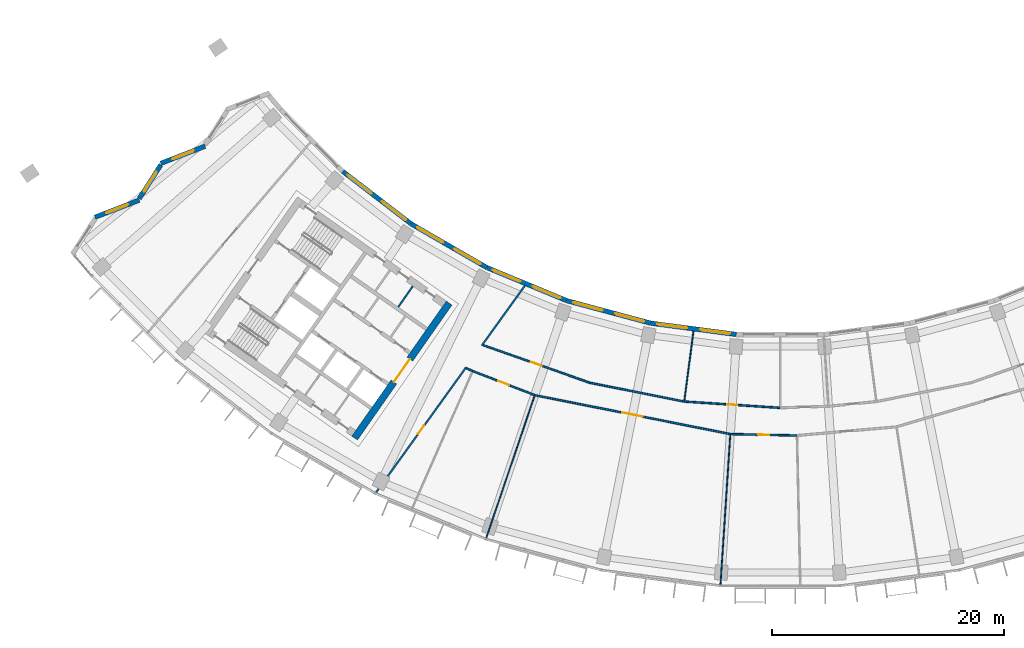
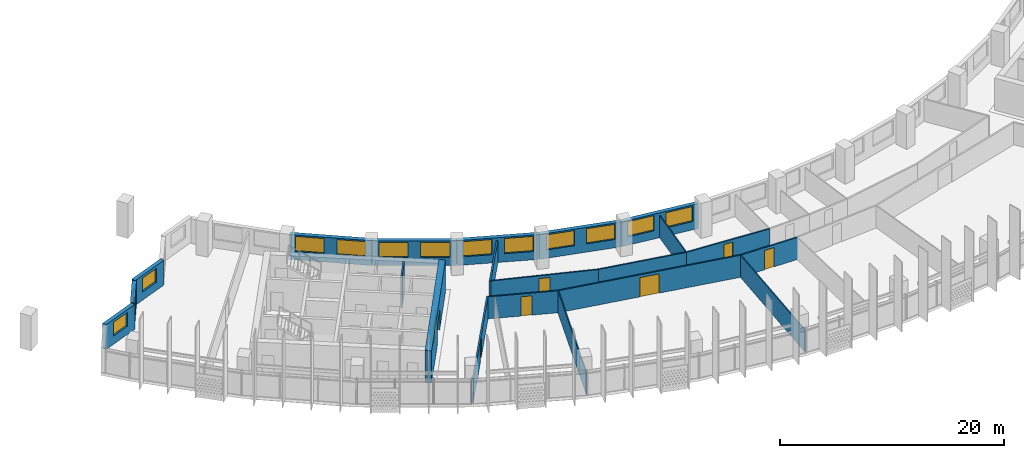
# One storey, part 4 of 27: 22 walls, 13 windows, 7 doors, 20 openings.
"""IFC4 building model written with IfcOpenShell, lengths in metres."""

from ifc_helpers import new_model, si_unit, direction, frame, frame_2d, origin, place, context, subcontext, project, spatial, rectangle, extrude, material, layer, layer_set, type_object, element, fill, save


model = new_model("IFC4")

# Units and contexts
model_context = context("Model", 3, precision=1e-05, world=origin(), true_north=direction((0.0, 1.0)))
body_context = subcontext(model_context, "Body", "Model", "MODEL_VIEW")
ifc_project = project(units=[si_unit("LENGTHUNIT", "METRE"), si_unit("AREAUNIT", "SQUARE_METRE"), si_unit("VOLUMEUNIT", "CUBIC_METRE"), si_unit("PLANEANGLEUNIT", "RADIAN"), si_unit("MASSUNIT", "GRAM", prefix="KILO")], contexts=[model_context])

# Site, building, storey
site_placement = place(None, origin())
site = spatial("IfcSite", under=ifc_project, at=site_placement, CompositionType="ELEMENT")
building_placement = place(site_placement, origin())
building = spatial("IfcBuilding", under=site, at=building_placement, Name="Qamariyya Broadcast Tower", CompositionType="ELEMENT")
storey_placement = place(building_placement, frame((0.0, 0.0, 172.10009765625)))
storey = spatial("IfcBuildingStorey", under=building, at=storey_placement, Name="L40", CompositionType="ELEMENT", Elevation=172.10009765625)

# Wall, opening, door
ifc_material_1 = material(Name="Concrete C60/75", Category="concrete")
ifc_layer_1 = layer(ifc_material_1, 0.60009765625)
ifc_layer_set_1 = layer_set([ifc_layer_1], Name="Core wall 600 mm Concrete C60/75")
wall_type_1 = type_object("IfcWallType", Name="Core wall 600 mm Concrete C60/75", PredefinedType="SHEAR", material=ifc_layer_set_1)
wall_1_placement = place(storey_placement, frame((-36.66748046875, -66.005126953125, 0.0), z_axis=(0.0, 0.0, 1.0), x_axis=(0.573568499524, 0.819157601658, 0.0)))
wall_1 = element("IfcWall", 1, at=wall_1_placement, inside=storey, type_object=wall_type_1, Name="k-W-L40-WA", PredefinedType="SHEAR", context=body_context, shape_type="SweptSolid", body=[
    extrude(rectangle(XDim=14.19970703125, YDim=0.60009765625, at=frame_2d((7.099853515625, 0.0))), origin(), (0.0, 0.0, 1.0), 3.5),
])
opening_1_placement = place(wall_1_placement, frame((5.89990234375, 0.0, 0.0)))
opening_1 = element("IfcOpeningElement", 2, at=opening_1_placement, cuts=wall_1, Name="Opening KD3-W1", PredefinedType="OPENING", context=body_context, shape_type="SweptSolid", body=[
    extrude(rectangle(XDim=2.39990234375, YDim=2.10009765625, at=frame_2d((1.199951171875, 1.050048828125))), frame((0.0, 0.31005859375, 0.0), z_axis=(0.0, -1.0, 0.0), x_axis=(1.0, 0.0, 0.0)), (0.0, 0.0, 1.0), 0.6201171875),
])
ifc_material_2 = material(Name="Steel fire-resisting door leaf", Category="steel")
door_type_1 = type_object("IfcDoorType", Name="Lift lobby door KD3", OperationType="DOUBLE_DOOR_SINGLE_SWING", PredefinedType="DOOR", material=ifc_material_2)
door_1_placement = place(opening_1_placement, origin())
door_1 = element("IfcDoor", 3, at=door_1_placement, inside=storey, type_object=door_type_1, Name="k-W-L40-WA-D1", OperationType="DOUBLE_DOOR_SINGLE_SWING", OverallHeight=2.10009765625, OverallWidth=2.39990234375, PredefinedType="DOOR", context=body_context, shape_type="SweptSolid", body=[
    extrude(rectangle(XDim=2.39990234375, YDim=2.10009765625, at=frame_2d((1.199951171875, 1.050048828125))), frame((0.0, 0.02490234375, 0.0), z_axis=(0.0, -1.0, 0.0), x_axis=(1.0, 0.0, 0.0)), (0.0, 0.0, 1.0), 0.050048828125),
])
fill(opening_1, door_1)

ifc_material_3 = material(Name="Gypsum board partition")
ifc_layer_2 = layer(ifc_material_3, 0.14990234375)
ifc_layer_set_2 = layer_set([ifc_layer_2], Name="Corridor partition 150 EI 60")
wall_type_2 = type_object("IfcWallType", Name="Corridor partition 150 EI 60", PredefinedType="PARTITIONING", material=ifc_layer_set_2)
wall_2_placement = place(storey_placement, frame((-27.056884765625, -59.899169921875, 0.0), z_axis=(0.0, 0.0, 1.0), x_axis=(-0.584166374063, -0.81163393683, 0.0)))
wall_2 = element("IfcWall", 4, at=wall_2_placement, inside=storey, type_object=wall_type_2, Name="Partition L40-003", PredefinedType="PARTITIONING", context=body_context, shape_type="SweptSolid", body=[
    extrude(rectangle(XDim=13.296142578125, YDim=0.14990234375, at=frame_2d((6.64794921875, 0.0))), origin(), (0.0, 0.0, 1.0), 2.39990234375),
])
opening_2_placement = place(wall_2_placement, frame((6.197998046875, 0.0, 0.0)))
opening_2 = element("IfcOpeningElement", 5, at=opening_2_placement, cuts=wall_2, Name="Opening L40-D01", PredefinedType="OPENING", context=body_context, shape_type="SweptSolid", body=[
    extrude(rectangle(XDim=0.89990234375, YDim=2.10009765625, at=frame_2d((0.449951171875, 1.050048828125))), frame((0.0, 0.0849609375, 0.0), z_axis=(0.0, -1.0, 0.0), x_axis=(1.0, 0.0, 0.0)), (0.0, 0.0, 1.0), 0.169921875),
])
ifc_material_4 = material(Name="Timber fire door leaf", Category="wood")
door_type_2 = type_object("IfcDoorType", Name="Fire door 900 x 2100 FD60", OperationType="NOTDEFINED", PredefinedType="DOOR", material=ifc_material_4)
door_2_placement = place(opening_2_placement, origin())
door_2 = element("IfcDoor", 6, at=door_2_placement, inside=storey, type_object=door_type_2, Name="Door L40-D01", OperationType="SINGLE_SWING_RIGHT", OverallHeight=2.10009765625, OverallWidth=0.89990234375, PredefinedType="DOOR", context=body_context, shape_type="SweptSolid", body=[
    extrude(rectangle(XDim=0.89990234375, YDim=2.10009765625, at=frame_2d((0.449951171875, 1.050048828125))), frame((0.0, 0.02490234375, 0.0), z_axis=(0.0, -1.0, 0.0), x_axis=(1.0, 0.0, 0.0)), (0.0, 0.0, 1.0), 0.050048828125),
])
fill(opening_2, door_2)

# Wall
wall_3_placement = place(storey_placement, frame((-27.0322265625, -59.990478515625, 0.0), z_axis=(0.0, 0.0, 1.0), x_axis=(0.913255339256, -0.407387635207, 0.0)))
element("IfcWall", 7, at=wall_3_placement, inside=storey, type_object=wall_type_2, Name="Partition L40-004", PredefinedType="PARTITIONING", context=body_context, shape_type="SweptSolid", body=[
    extrude(rectangle(XDim=0.580078125, YDim=0.14990234375, at=frame_2d((0.2900390625, 0.0))), origin(), (0.0, 0.0, 1.0), 2.39990234375),
])

# Wall, opening, door
wall_4_placement = place(storey_placement, frame((-21.150634765625, -62.30810546875, 0.0), z_axis=(0.0, 0.0, 1.0), x_axis=(-0.932002277836, 0.362452416338, 0.0)))
wall_4 = element("IfcWall", 8, at=wall_4_placement, inside=storey, type_object=wall_type_2, Name="Partition L40-005", PredefinedType="PARTITIONING", context=body_context, shape_type="SweptSolid", body=[
    extrude(rectangle(XDim=5.7421875, YDim=0.14990234375, at=frame_2d((2.87109375, 0.0))), origin(), (0.0, 0.0, 1.0), 2.39990234375),
])
opening_3_placement = place(wall_4_placement, frame((2.37109375, 0.0, 0.0)))
opening_3 = element("IfcOpeningElement", 9, at=opening_3_placement, cuts=wall_4, Name="Opening L40-D02", PredefinedType="OPENING", context=body_context, shape_type="SweptSolid", body=[
    extrude(rectangle(XDim=1.0, YDim=2.10009765625, at=frame_2d((0.5, 1.050048828125))), frame((0.0, 0.0849609375, 0.0), z_axis=(0.0, -1.0, 0.0), x_axis=(1.0, 0.0, 0.0)), (0.0, 0.0, 1.0), 0.169921875),
])
door_type_3 = type_object("IfcDoorType", Name="Fire door 1000 x 2100 FD60", OperationType="NOTDEFINED", PredefinedType="DOOR", material=ifc_material_4)
door_3_placement = place(opening_3_placement, origin())
door_3 = element("IfcDoor", 10, at=door_3_placement, inside=storey, type_object=door_type_3, Name="Door L40-D02", OperationType="SINGLE_SWING_RIGHT", OverallHeight=2.10009765625, OverallWidth=1.0, PredefinedType="DOOR", context=body_context, shape_type="SweptSolid", body=[
    extrude(rectangle(XDim=1.0, YDim=2.10009765625, at=frame_2d((0.5, 1.050048828125))), frame((0.0, 0.02490234375, 0.0), z_axis=(0.0, -1.0, 0.0), x_axis=(1.0, 0.0, 0.0)), (0.0, 0.0, 1.0), 0.050048828125),
])
fill(opening_3, door_3)

wall_5_placement = place(storey_placement, frame((-25.598388671875, -57.99609375, 0.0), z_axis=(0.0, 0.0, 1.0), x_axis=(0.942982926679, -0.332841103219, 0.0)))
wall_5 = element("IfcWall", 11, at=wall_5_placement, inside=storey, type_object=wall_type_2, Name="Partition L40-006", PredefinedType="PARTITIONING", context=body_context, shape_type="SweptSolid", body=[
    extrude(rectangle(XDim=9.736572265625, YDim=0.14990234375, at=frame_2d((4.8681640625, 0.0))), origin(), (0.0, 0.0, 1.0), 2.39990234375),
])
opening_4_placement = place(wall_5_placement, frame((4.368408203125, 0.0, 0.0)))
opening_4 = element("IfcOpeningElement", 12, at=opening_4_placement, cuts=wall_5, Name="Opening L40-D07", PredefinedType="OPENING", context=body_context, shape_type="SweptSolid", body=[
    extrude(rectangle(XDim=1.0, YDim=2.10009765625, at=frame_2d((0.5, 1.050048828125))), frame((0.0, 0.0849609375, 0.0), z_axis=(0.0, -1.0, 0.0), x_axis=(1.0, 0.0, 0.0)), (0.0, 0.0, 1.0), 0.169921875),
])
door_4_placement = place(opening_4_placement, origin())
door_4 = element("IfcDoor", 13, at=door_4_placement, inside=storey, type_object=door_type_3, Name="Door L40-D07", OperationType="SINGLE_SWING_RIGHT", OverallHeight=2.10009765625, OverallWidth=1.0, PredefinedType="DOOR", context=body_context, shape_type="SweptSolid", body=[
    extrude(rectangle(XDim=1.0, YDim=2.10009765625, at=frame_2d((0.5, 1.050048828125))), frame((0.0, 0.02490234375, 0.0), z_axis=(0.0, -1.0, 0.0), x_axis=(1.0, 0.0, 0.0)), (0.0, 0.0, 1.0), 0.050048828125),
])
fill(opening_4, door_4)

# Wall
wall_6_placement = place(storey_placement, frame((-22.0, -52.873046875, 0.0), z_axis=(0.0, 0.0, 1.0), x_axis=(-0.58417014289, -0.811631224236, 0.0)))
element("IfcWall", 14, at=wall_6_placement, inside=storey, type_object=wall_type_2, Name="Partition L40-008", PredefinedType="PARTITIONING", context=body_context, shape_type="SweptSolid", body=[
    extrude(rectangle(XDim=6.356201171875, YDim=0.14990234375, at=frame_2d((3.17822265625, 0.0))), origin(), (0.0, 0.0, 1.0), 2.39990234375),
])

# Wall, opening, door
wall_7_placement = place(storey_placement, frame((-4.303466796875, -65.6591796875, 0.0), z_axis=(0.0, 0.0, 1.0), x_axis=(-0.980785679695, 0.195088314632, 0.0)))
wall_7 = element("IfcWall", 15, at=wall_7_placement, inside=storey, type_object=wall_type_2, Name="Partition L40-009", PredefinedType="PARTITIONING", context=body_context, shape_type="SweptSolid", body=[
    extrude(rectangle(XDim=17.17724609375, YDim=0.14990234375, at=frame_2d((8.588623046875, 0.0))), origin(), (0.0, 0.0, 1.0), 2.39990234375),
])
opening_5_placement = place(wall_7_placement, frame((7.688720703125, 0.0, 0.0)))
opening_5 = element("IfcOpeningElement", 16, at=opening_5_placement, cuts=wall_7, Name="Opening L40-D03", PredefinedType="OPENING", context=body_context, shape_type="SweptSolid", body=[
    extrude(rectangle(XDim=1.800048828125, YDim=2.10009765625, at=frame_2d((0.89990234375, 1.050048828125))), frame((0.0, 0.0849609375, 0.0), z_axis=(0.0, -1.0, 0.0), x_axis=(1.0, 0.0, 0.0)), (0.0, 0.0, 1.0), 0.169921875),
])
door_type_4 = type_object("IfcDoorType", Name="Double fire door 1800 x 2100 FD60", OperationType="NOTDEFINED", PredefinedType="DOOR", material=ifc_material_4)
door_5_placement = place(opening_5_placement, origin())
door_5 = element("IfcDoor", 17, at=door_5_placement, inside=storey, type_object=door_type_4, Name="Door L40-D03", OperationType="DOUBLE_DOOR_SINGLE_SWING", OverallHeight=2.10009765625, OverallWidth=1.800048828125, PredefinedType="DOOR", context=body_context, shape_type="SweptSolid", body=[
    extrude(rectangle(XDim=1.800048828125, YDim=2.10009765625, at=frame_2d((0.89990234375, 1.050048828125))), frame((0.0, 0.02490234375, 0.0), z_axis=(0.0, -1.0, 0.0), x_axis=(1.0, 0.0, 0.0)), (0.0, 0.0, 1.0), 0.050048828125),
])
fill(opening_5, door_5)

# Wall
wall_8_placement = place(storey_placement, frame((-16.40087890625, -61.2412109375, 0.0), z_axis=(0.0, 0.0, 1.0), x_axis=(0.980780777209, -0.195112959735, 0.0)))
element("IfcWall", 18, at=wall_8_placement, inside=storey, type_object=wall_type_2, Name="Partition L40-010", PredefinedType="PARTITIONING", context=body_context, shape_type="SweptSolid", body=[
    extrude(rectangle(XDim=8.28466796875, YDim=0.14990234375, at=frame_2d((4.142333984375, 0.0))), origin(), (0.0, 0.0, 1.0), 2.39990234375),
])

# Wall, opening, door
wall_9_placement = place(storey_placement, frame((-8.275390625, -62.857666015625, 0.0), z_axis=(0.0, 0.0, 1.0), x_axis=(0.997860193426, -0.065383747038, 0.0)))
wall_9 = element("IfcWall", 19, at=wall_9_placement, inside=storey, type_object=wall_type_2, Name="Partition L40-011", PredefinedType="PARTITIONING", context=body_context, shape_type="SweptSolid", body=[
    extrude(rectangle(XDim=8.293212890625, YDim=0.14990234375, at=frame_2d((4.146484375, 0.0))), origin(), (0.0, 0.0, 1.0), 2.39990234375),
])
opening_6_placement = place(wall_9_placement, frame((3.696533203125, 0.0, 0.0)))
opening_6 = element("IfcOpeningElement", 20, at=opening_6_placement, cuts=wall_9, Name="Opening L40-D08", PredefinedType="OPENING", context=body_context, shape_type="SweptSolid", body=[
    extrude(rectangle(XDim=0.89990234375, YDim=2.10009765625, at=frame_2d((0.449951171875, 1.050048828125))), frame((0.0, 0.0849609375, 0.0), z_axis=(0.0, -1.0, 0.0), x_axis=(1.0, 0.0, 0.0)), (0.0, 0.0, 1.0), 0.169921875),
])
door_6_placement = place(opening_6_placement, origin())
door_6 = element("IfcDoor", 21, at=door_6_placement, inside=storey, type_object=door_type_2, Name="Door L40-D08", OperationType="SINGLE_SWING_RIGHT", OverallHeight=2.10009765625, OverallWidth=0.89990234375, PredefinedType="DOOR", context=body_context, shape_type="SweptSolid", body=[
    extrude(rectangle(XDim=0.89990234375, YDim=2.10009765625, at=frame_2d((0.449951171875, 1.050048828125))), frame((0.0, 0.02490234375, 0.0), z_axis=(0.0, -1.0, 0.0), x_axis=(1.0, 0.0, 0.0)), (0.0, 0.0, 1.0), 0.050048828125),
])
fill(opening_6, door_6)

wall_10_placement = place(storey_placement, frame((1.437255859375, -65.7841796875, 0.0), z_axis=(0.0, 0.0, 1.0), x_axis=(-0.999763025016, 0.021769102186, 0.0)))
wall_10 = element("IfcWall", 22, at=wall_10_placement, inside=storey, type_object=wall_type_2, Name="Partition L40-014", PredefinedType="PARTITIONING", context=body_context, shape_type="SweptSolid", body=[
    extrude(rectangle(XDim=5.7421875, YDim=0.14990234375, at=frame_2d((2.87109375, 0.0))), origin(), (0.0, 0.0, 1.0), 2.39990234375),
])
opening_7_placement = place(wall_10_placement, frame((2.37109375, 0.0, 0.0)))
opening_7 = element("IfcOpeningElement", 23, at=opening_7_placement, cuts=wall_10, Name="Opening L40-D04", PredefinedType="OPENING", context=body_context, shape_type="SweptSolid", body=[
    extrude(rectangle(XDim=1.0, YDim=2.10009765625, at=frame_2d((0.5, 1.050048828125))), frame((0.0, 0.0849609375, 0.0), z_axis=(0.0, -1.0, 0.0), x_axis=(1.0, 0.0, 0.0)), (0.0, 0.0, 1.0), 0.169921875),
])
door_7_placement = place(opening_7_placement, origin())
door_7 = element("IfcDoor", 24, at=door_7_placement, inside=storey, type_object=door_type_3, Name="Door L40-D04", OperationType="SINGLE_SWING_RIGHT", OverallHeight=2.10009765625, OverallWidth=1.0, PredefinedType="DOOR", context=body_context, shape_type="SweptSolid", body=[
    extrude(rectangle(XDim=1.0, YDim=2.10009765625, at=frame_2d((0.5, 1.050048828125))), frame((0.0, 0.02490234375, 0.0), z_axis=(0.0, -1.0, 0.0), x_axis=(1.0, 0.0, 0.0)), (0.0, 0.0, 1.0), 0.050048828125),
])
fill(opening_7, door_7)

# Walls
ifc_material_5 = material(Name="Gypsum board partition on steel studs", Category="steel")
ifc_layer_3 = layer(ifc_material_5, 0.14990234375)
ifc_layer_set_3 = layer_set([ifc_layer_3], Name="Gypsum board partition 150 mm")
wall_type_3 = type_object("IfcWallType", Name="Gypsum board partition 150 mm", PredefinedType="PARTITIONING", material=ifc_layer_set_3)
wall_11_placement = place(storey_placement, frame((-32.9140625, -54.716796875, 0.0), z_axis=(0.0, 0.0, 1.0), x_axis=(0.573581496053, 0.819148501424, 0.0)))
element("IfcWall", 25, at=wall_11_placement, inside=storey, type_object=wall_type_3, Name="k-W-L40-NP310", PredefinedType="PARTITIONING", context=body_context, shape_type="SweptSolid", body=[
    extrude(rectangle(XDim=2.2001953125, YDim=0.14990234375, at=frame_2d((1.10009765625, 0.0))), origin(), (0.0, 0.0, 1.0), 3.5),
])
ifc_layer_4 = layer(ifc_material_3, 0.10009765625)
ifc_layer_set_4 = layer_set([ifc_layer_4], Name="Partition 100")
wall_type_4 = type_object("IfcWallType", Name="Partition 100", PredefinedType="PARTITIONING", material=ifc_layer_set_4)
wall_12_placement = place(storey_placement, frame((-25.329345703125, -74.6181640625, 0.0), z_axis=(0.0, 0.0, 1.0), x_axis=(0.321430642641, 0.946933124339, 0.0)))
element("IfcWall", 26, at=wall_12_placement, inside=storey, type_object=wall_type_4, Name="Partition L40-007", PredefinedType="PARTITIONING", context=body_context, shape_type="SweptSolid", body=[
    extrude(rectangle(XDim=12.925048828125, YDim=0.10009765625, at=frame_2d((6.46240234375, 0.0))), origin(), (0.0, 0.0, 1.0), 2.39990234375),
])
wall_13_placement = place(storey_placement, frame((-7.476318359375, -56.787841796875, 0.0), z_axis=(0.0, 0.0, 1.0), x_axis=(-0.130526573864, -0.991444811129, 0.0)))
element("IfcWall", 27, at=wall_13_placement, inside=storey, type_object=wall_type_4, Name="Partition L40-012", PredefinedType="PARTITIONING", context=body_context, shape_type="SweptSolid", body=[
    extrude(rectangle(XDim=6.047119140625, YDim=0.10009765625, at=frame_2d((3.0234375, 0.0))), origin(), (0.0, 0.0, 1.0), 2.39990234375),
])
wall_14_placement = place(storey_placement, frame((-5.15380859375, -78.63134765625, 0.0), z_axis=(0.0, 0.0, 1.0), x_axis=(0.065411967988, 0.997858343877, 0.0)))
element("IfcWall", 28, at=wall_14_placement, inside=storey, type_object=wall_type_4, Name="Partition L40-013", PredefinedType="PARTITIONING", context=body_context, shape_type="SweptSolid", body=[
    extrude(rectangle(XDim=12.925048828125, YDim=0.10009765625, at=frame_2d((6.46240234375, 0.0))), origin(), (0.0, 0.0, 1.0), 2.39990234375),
])

# Wall, opening, window
ifc_material_6 = material(Name="Terracotta", Category="masonry")
ifc_layer_5 = layer(ifc_material_6, 0.39990234375)
ifc_layer_set_5 = layer_set([ifc_layer_5], Name="Terracotta clad wall 400")
wall_type_5 = type_object("IfcWallType", Name="Terracotta clad wall 400", PredefinedType="SOLIDWALL", material=ifc_layer_set_5)
wall_15_placement = place(storey_placement, frame((-49.544677734375, -40.860107421875, 0.0), z_axis=(0.0, 0.0, 1.0), x_axis=(-0.932830529277, -0.360315422442, 0.0)))
wall_15 = element("IfcWall", 29, at=wall_15_placement, inside=storey, type_object=wall_type_5, Name="e-wl-L40-capW2", PredefinedType="SOLIDWALL", context=body_context, shape_type="SweptSolid", body=[
    extrude(rectangle(XDim=4.087890625, YDim=0.39990234375, at=frame_2d((2.0439453125, 0.0))), origin(), (0.0, 0.0, 1.0), 2.699951171875),
])
opening_8_placement = place(wall_15_placement, frame((1.0439453125, 0.0, 0.89990234375)))
opening_8 = element("IfcOpeningElement", 30, at=opening_8_placement, cuts=wall_15, Name="Opening W4", PredefinedType="OPENING", context=body_context, shape_type="SweptSolid", body=[
    extrude(rectangle(XDim=2.0, YDim=1.5, at=frame_2d((1.0, 0.75))), frame((0.0, 0.2099609375, 0.0), z_axis=(0.0, -1.0, 0.0), x_axis=(1.0, 0.0, 0.0)), (0.0, 0.0, 1.0), 0.419921875),
])
ifc_material_7 = material(Name="Clear low-e double glazed unit in aluminium frame", Category="aluminium")
window_type_1 = type_object("IfcWindowType", Name="Horn bay window 2000 x 1500", PartitioningType="SINGLE_PANEL", PredefinedType="WINDOW", material=ifc_material_7)
window_1_placement = place(opening_8_placement, origin())
window_1 = element("IfcWindow", 31, at=window_1_placement, inside=storey, type_object=window_type_1, Name="e-w-L40-capW2", OverallHeight=1.5, OverallWidth=2.0, PartitioningType="SINGLE_PANEL", PredefinedType="WINDOW", context=body_context, shape_type="SweptSolid", body=[
    extrude(rectangle(XDim=2.0, YDim=1.5, at=frame_2d((1.0, 0.75))), frame((0.0, 0.030029296875, 0.0), z_axis=(0.0, -1.0, 0.0), x_axis=(1.0, 0.0, 0.0)), (0.0, 0.0, 1.0), 0.06005859375),
])
fill(opening_8, window_1)

wall_16_placement = place(storey_placement, frame((-53.36181640625, -42.470703125, 0.0), z_axis=(0.0, 0.0, 1.0), x_axis=(-0.539303496658, -0.842111476286, 0.0)))
wall_16 = element("IfcWall", 32, at=wall_16_placement, inside=storey, type_object=wall_type_5, Name="e-wl-L40-capW3", PredefinedType="SOLIDWALL", context=body_context, shape_type="SweptSolid", body=[
    extrude(rectangle(XDim=3.438720703125, YDim=0.39990234375, at=frame_2d((1.71923828125, 0.0))), origin(), (0.0, 0.0, 1.0), 2.699951171875),
])
opening_9_placement = place(wall_16_placement, frame((0.71923828125, 0.0, 0.89990234375)))
opening_9 = element("IfcOpeningElement", 33, at=opening_9_placement, cuts=wall_16, Name="Opening W4", PredefinedType="OPENING", context=body_context, shape_type="SweptSolid", body=[
    extrude(rectangle(XDim=2.0, YDim=1.5, at=frame_2d((1.0, 0.75))), frame((0.0, 0.2099609375, 0.0), z_axis=(0.0, -1.0, 0.0), x_axis=(1.0, 0.0, 0.0)), (0.0, 0.0, 1.0), 0.419921875),
])
window_2_placement = place(opening_9_placement, origin())
window_2 = element("IfcWindow", 34, at=window_2_placement, inside=storey, type_object=window_type_1, Name="e-w-L40-capW3", OverallHeight=1.5, OverallWidth=2.0, PartitioningType="SINGLE_PANEL", PredefinedType="WINDOW", context=body_context, shape_type="SweptSolid", body=[
    extrude(rectangle(XDim=2.0, YDim=1.5, at=frame_2d((1.0, 0.75))), frame((0.0, 0.030029296875, 0.0), z_axis=(0.0, -1.0, 0.0), x_axis=(1.0, 0.0, 0.0)), (0.0, 0.0, 1.0), 0.06005859375),
])
fill(opening_9, window_2)

wall_17_placement = place(storey_placement, frame((-55.219970703125, -45.50390625, 0.0), z_axis=(0.0, 0.0, 1.0), x_axis=(-0.932781254799, -0.360442964554, 0.0)))
wall_17 = element("IfcWall", 35, at=wall_17_placement, inside=storey, type_object=wall_type_5, Name="e-wl-L40-capW4", PredefinedType="SOLIDWALL", context=body_context, shape_type="SweptSolid", body=[
    extrude(rectangle(XDim=4.089111328125, YDim=0.39990234375, at=frame_2d((2.04443359375, 0.0))), origin(), (0.0, 0.0, 1.0), 2.699951171875),
])
opening_10_placement = place(wall_17_placement, frame((1.04443359375, 0.0, 0.89990234375)))
opening_10 = element("IfcOpeningElement", 36, at=opening_10_placement, cuts=wall_17, Name="Opening W4", PredefinedType="OPENING", context=body_context, shape_type="SweptSolid", body=[
    extrude(rectangle(XDim=2.0, YDim=1.5, at=frame_2d((1.0, 0.75))), frame((0.0, 0.2099609375, 0.0), z_axis=(0.0, -1.0, 0.0), x_axis=(1.0, 0.0, 0.0)), (0.0, 0.0, 1.0), 0.419921875),
])
window_3_placement = place(opening_10_placement, origin())
window_3 = element("IfcWindow", 37, at=window_3_placement, inside=storey, type_object=window_type_1, Name="e-w-L40-capW4", OverallHeight=1.5, OverallWidth=2.0, PartitioningType="SINGLE_PANEL", PredefinedType="WINDOW", context=body_context, shape_type="SweptSolid", body=[
    extrude(rectangle(XDim=2.0, YDim=1.5, at=frame_2d((1.0, 0.75))), frame((0.0, 0.030029296875, 0.0), z_axis=(0.0, -1.0, 0.0), x_axis=(1.0, 0.0, 0.0)), (0.0, 0.0, 1.0), 0.06005859375),
])
fill(opening_10, window_3)

# Wall, openings, windows
wall_18_placement = place(storey_placement, frame((-31.819091796875, -47.529541015625, 0.0), z_axis=(0.0, 0.0, 1.0), x_axis=(-0.79334647843, 0.608770371457, 0.0)))
wall_18 = element("IfcWall", 38, at=wall_18_placement, inside=storey, type_object=wall_type_5, Name="e-wl-L40-in20", PredefinedType="SOLIDWALL", context=body_context, shape_type="SweptSolid", body=[
    extrude(rectangle(XDim=7.380615234375, YDim=0.39990234375, at=frame_2d((3.6904296875, 0.0))), origin(), (0.0, 0.0, 1.0), 2.699951171875),
])
opening_11_placement = place(wall_18_placement, frame((4.25439453125, 0.0, 0.89990234375)))
opening_11 = element("IfcOpeningElement", 39, at=opening_11_placement, cuts=wall_18, Name="Opening W1", PredefinedType="OPENING", context=body_context, shape_type="SweptSolid", body=[
    extrude(rectangle(XDim=2.60009765625, YDim=1.64990234375, at=frame_2d((1.300048828125, 0.824951171875))), frame((0.0, 0.2099609375, 0.0), z_axis=(0.0, -1.0, 0.0), x_axis=(1.0, 0.0, 0.0)), (0.0, 0.0, 1.0), 0.419921875),
])
opening_12_placement = place(wall_18_placement, frame((0.5263671875, 0.0, 0.89990234375)))
opening_12 = element("IfcOpeningElement", 40, at=opening_12_placement, cuts=wall_18, Name="Opening W1", PredefinedType="OPENING", context=body_context, shape_type="SweptSolid", body=[
    extrude(rectangle(XDim=2.60009765625, YDim=1.64990234375, at=frame_2d((1.300048828125, 0.824951171875))), frame((0.0, 0.2099609375, 0.0), z_axis=(0.0, -1.0, 0.0), x_axis=(1.0, 0.0, 0.0)), (0.0, 0.0, 1.0), 0.419921875),
])
window_type_2 = type_object("IfcWindowType", Name="Ribbon window 2600 x 1650", PartitioningType="SINGLE_PANEL", PredefinedType="WINDOW", material=ifc_material_7)
window_4_placement = place(opening_11_placement, origin())
window_4 = element("IfcWindow", 41, at=window_4_placement, inside=storey, type_object=window_type_2, Name="e-w-L40-in02-0", OverallHeight=1.64990234375, OverallWidth=2.60009765625, PartitioningType="SINGLE_PANEL", PredefinedType="WINDOW", context=body_context, shape_type="SweptSolid", body=[
    extrude(rectangle(XDim=2.60009765625, YDim=1.64990234375, at=frame_2d((1.300048828125, 0.824951171875))), frame((0.0, 0.030029296875, 0.0), z_axis=(0.0, -1.0, 0.0), x_axis=(1.0, 0.0, 0.0)), (0.0, 0.0, 1.0), 0.06005859375),
])
fill(opening_11, window_4)
window_5_placement = place(opening_12_placement, origin())
window_5 = element("IfcWindow", 42, at=window_5_placement, inside=storey, type_object=window_type_2, Name="e-w-L40-in02-1", OverallHeight=1.64990234375, OverallWidth=2.60009765625, PartitioningType="SINGLE_PANEL", PredefinedType="WINDOW", context=body_context, shape_type="SweptSolid", body=[
    extrude(rectangle(XDim=2.60009765625, YDim=1.64990234375, at=frame_2d((1.300048828125, 0.824951171875))), frame((0.0, 0.030029296875, 0.0), z_axis=(0.0, -1.0, 0.0), x_axis=(1.0, 0.0, 0.0)), (0.0, 0.0, 1.0), 0.06005859375),
])
fill(opening_12, window_5)

wall_19_placement = place(storey_placement, frame((-25.27734375, -51.31396484375, 0.0), z_axis=(0.0, 0.0, 1.0), x_axis=(-0.866028517328, 0.499994607145, 0.0)))
wall_19 = element("IfcWall", 43, at=wall_19_placement, inside=storey, type_object=wall_type_5, Name="e-wl-L40-in30", PredefinedType="SOLIDWALL", context=body_context, shape_type="SweptSolid", body=[
    extrude(rectangle(XDim=7.5322265625, YDim=0.39990234375, at=frame_2d((3.76611328125, 0.0))), origin(), (0.0, 0.0, 1.0), 2.699951171875),
])
opening_13_placement = place(wall_19_placement, frame((4.330078125, 0.0, 0.89990234375)))
opening_13 = element("IfcOpeningElement", 44, at=opening_13_placement, cuts=wall_19, Name="Opening W1", PredefinedType="OPENING", context=body_context, shape_type="SweptSolid", body=[
    extrude(rectangle(XDim=2.60009765625, YDim=1.64990234375, at=frame_2d((1.300048828125, 0.824951171875))), frame((0.0, 0.2099609375, 0.0), z_axis=(0.0, -1.0, 0.0), x_axis=(1.0, 0.0, 0.0)), (0.0, 0.0, 1.0), 0.419921875),
])
opening_14_placement = place(wall_19_placement, frame((0.60205078125, 0.0, 0.89990234375)))
opening_14 = element("IfcOpeningElement", 45, at=opening_14_placement, cuts=wall_19, Name="Opening W1", PredefinedType="OPENING", context=body_context, shape_type="SweptSolid", body=[
    extrude(rectangle(XDim=2.60009765625, YDim=1.64990234375, at=frame_2d((1.300048828125, 0.824951171875))), frame((0.0, 0.2099609375, 0.0), z_axis=(0.0, -1.0, 0.0), x_axis=(1.0, 0.0, 0.0)), (0.0, 0.0, 1.0), 0.419921875),
])
window_6_placement = place(opening_13_placement, origin())
window_6 = element("IfcWindow", 46, at=window_6_placement, inside=storey, type_object=window_type_2, Name="e-w-L40-in03-0", OverallHeight=1.64990234375, OverallWidth=2.60009765625, PartitioningType="SINGLE_PANEL", PredefinedType="WINDOW", context=body_context, shape_type="SweptSolid", body=[
    extrude(rectangle(XDim=2.60009765625, YDim=1.64990234375, at=frame_2d((1.300048828125, 0.824951171875))), frame((0.0, 0.030029296875, 0.0), z_axis=(0.0, -1.0, 0.0), x_axis=(1.0, 0.0, 0.0)), (0.0, 0.0, 1.0), 0.06005859375),
])
fill(opening_13, window_6)
window_7_placement = place(opening_14_placement, origin())
window_7 = element("IfcWindow", 47, at=window_7_placement, inside=storey, type_object=window_type_2, Name="e-w-L40-in03-1", OverallHeight=1.64990234375, OverallWidth=2.60009765625, PartitioningType="SINGLE_PANEL", PredefinedType="WINDOW", context=body_context, shape_type="SweptSolid", body=[
    extrude(rectangle(XDim=2.60009765625, YDim=1.64990234375, at=frame_2d((1.300048828125, 0.824951171875))), frame((0.0, 0.030029296875, 0.0), z_axis=(0.0, -1.0, 0.0), x_axis=(1.0, 0.0, 0.0)), (0.0, 0.0, 1.0), 0.06005859375),
])
fill(opening_14, window_7)

wall_20_placement = place(storey_placement, frame((-18.433349609375, -54.1455078125, 0.0), z_axis=(0.0, 0.0, 1.0), x_axis=(-0.923867659443, 0.382712095229, 0.0)))
wall_20 = element("IfcWall", 48, at=wall_20_placement, inside=storey, type_object=wall_type_5, Name="e-wl-L40-in40", PredefinedType="SOLIDWALL", context=body_context, shape_type="SweptSolid", body=[
    extrude(rectangle(XDim=7.380859375, YDim=0.39990234375, at=frame_2d((3.6904296875, 0.0))), origin(), (0.0, 0.0, 1.0), 2.699951171875),
])
opening_15_placement = place(wall_20_placement, frame((4.25439453125, 0.0, 0.89990234375)))
opening_15 = element("IfcOpeningElement", 49, at=opening_15_placement, cuts=wall_20, Name="Opening W1", PredefinedType="OPENING", context=body_context, shape_type="SweptSolid", body=[
    extrude(rectangle(XDim=2.60009765625, YDim=1.64990234375, at=frame_2d((1.300048828125, 0.824951171875))), frame((0.0, 0.2099609375, 0.0), z_axis=(0.0, -1.0, 0.0), x_axis=(1.0, 0.0, 0.0)), (0.0, 0.0, 1.0), 0.419921875),
])
opening_16_placement = place(wall_20_placement, frame((0.5263671875, 0.0, 0.89990234375)))
opening_16 = element("IfcOpeningElement", 50, at=opening_16_placement, cuts=wall_20, Name="Opening W1", PredefinedType="OPENING", context=body_context, shape_type="SweptSolid", body=[
    extrude(rectangle(XDim=2.60009765625, YDim=1.64990234375, at=frame_2d((1.300048828125, 0.824951171875))), frame((0.0, 0.2099609375, 0.0), z_axis=(0.0, -1.0, 0.0), x_axis=(1.0, 0.0, 0.0)), (0.0, 0.0, 1.0), 0.419921875),
])
window_8_placement = place(opening_15_placement, origin())
window_8 = element("IfcWindow", 51, at=window_8_placement, inside=storey, type_object=window_type_2, Name="e-w-L40-in04-0", OverallHeight=1.64990234375, OverallWidth=2.60009765625, PartitioningType="SINGLE_PANEL", PredefinedType="WINDOW", context=body_context, shape_type="SweptSolid", body=[
    extrude(rectangle(XDim=2.60009765625, YDim=1.64990234375, at=frame_2d((1.300048828125, 0.824951171875))), frame((0.0, 0.030029296875, 0.0), z_axis=(0.0, -1.0, 0.0), x_axis=(1.0, 0.0, 0.0)), (0.0, 0.0, 1.0), 0.06005859375),
])
fill(opening_15, window_8)
window_9_placement = place(opening_16_placement, origin())
window_9 = element("IfcWindow", 52, at=window_9_placement, inside=storey, type_object=window_type_2, Name="e-w-L40-in04-1", OverallHeight=1.64990234375, OverallWidth=2.60009765625, PartitioningType="SINGLE_PANEL", PredefinedType="WINDOW", context=body_context, shape_type="SweptSolid", body=[
    extrude(rectangle(XDim=2.60009765625, YDim=1.64990234375, at=frame_2d((1.300048828125, 0.824951171875))), frame((0.0, 0.030029296875, 0.0), z_axis=(0.0, -1.0, 0.0), x_axis=(1.0, 0.0, 0.0)), (0.0, 0.0, 1.0), 0.06005859375),
])
fill(opening_16, window_9)

wall_21_placement = place(storey_placement, frame((-11.135009765625, -56.10791015625, 0.0), z_axis=(0.0, 0.0, 1.0), x_axis=(-0.965927073219, 0.258814391452, 0.0)))
wall_21 = element("IfcWall", 53, at=wall_21_placement, inside=storey, type_object=wall_type_5, Name="e-wl-L40-in50", PredefinedType="SOLIDWALL", context=body_context, shape_type="SweptSolid", body=[
    extrude(rectangle(XDim=7.5322265625, YDim=0.39990234375, at=frame_2d((3.76611328125, 0.0))), origin(), (0.0, 0.0, 1.0), 2.699951171875),
])
opening_17_placement = place(wall_21_placement, frame((4.330078125, 0.0, 0.89990234375)))
opening_17 = element("IfcOpeningElement", 54, at=opening_17_placement, cuts=wall_21, Name="Opening W1", PredefinedType="OPENING", context=body_context, shape_type="SweptSolid", body=[
    extrude(rectangle(XDim=2.60009765625, YDim=1.64990234375, at=frame_2d((1.300048828125, 0.824951171875))), frame((0.0, 0.2099609375, 0.0), z_axis=(0.0, -1.0, 0.0), x_axis=(1.0, 0.0, 0.0)), (0.0, 0.0, 1.0), 0.419921875),
])
opening_18_placement = place(wall_21_placement, frame((0.60205078125, 0.0, 0.89990234375)))
opening_18 = element("IfcOpeningElement", 55, at=opening_18_placement, cuts=wall_21, Name="Opening W1", PredefinedType="OPENING", context=body_context, shape_type="SweptSolid", body=[
    extrude(rectangle(XDim=2.60009765625, YDim=1.64990234375, at=frame_2d((1.300048828125, 0.824951171875))), frame((0.0, 0.2099609375, 0.0), z_axis=(0.0, -1.0, 0.0), x_axis=(1.0, 0.0, 0.0)), (0.0, 0.0, 1.0), 0.419921875),
])
window_10_placement = place(opening_17_placement, origin())
window_10 = element("IfcWindow", 56, at=window_10_placement, inside=storey, type_object=window_type_2, Name="e-w-L40-in05-0", OverallHeight=1.64990234375, OverallWidth=2.60009765625, PartitioningType="SINGLE_PANEL", PredefinedType="WINDOW", context=body_context, shape_type="SweptSolid", body=[
    extrude(rectangle(XDim=2.60009765625, YDim=1.64990234375, at=frame_2d((1.300048828125, 0.824951171875))), frame((0.0, 0.030029296875, 0.0), z_axis=(0.0, -1.0, 0.0), x_axis=(1.0, 0.0, 0.0)), (0.0, 0.0, 1.0), 0.06005859375),
])
fill(opening_17, window_10)
window_11_placement = place(opening_18_placement, origin())
window_11 = element("IfcWindow", 57, at=window_11_placement, inside=storey, type_object=window_type_2, Name="e-w-L40-in05-1", OverallHeight=1.64990234375, OverallWidth=2.60009765625, PartitioningType="SINGLE_PANEL", PredefinedType="WINDOW", context=body_context, shape_type="SweptSolid", body=[
    extrude(rectangle(XDim=2.60009765625, YDim=1.64990234375, at=frame_2d((1.300048828125, 0.824951171875))), frame((0.0, 0.030029296875, 0.0), z_axis=(0.0, -1.0, 0.0), x_axis=(1.0, 0.0, 0.0)), (0.0, 0.0, 1.0), 0.06005859375),
])
fill(opening_18, window_11)

wall_22_placement = place(storey_placement, frame((-3.79150390625, -57.0712890625, 0.0), z_axis=(0.0, 0.0, 1.0), x_axis=(-0.99144438474, 0.130529812564, 0.0)))
wall_22 = element("IfcWall", 58, at=wall_22_placement, inside=storey, type_object=wall_type_5, Name="e-wl-L40-in60", PredefinedType="SOLIDWALL", context=body_context, shape_type="SweptSolid", body=[
    extrude(rectangle(XDim=7.380615234375, YDim=0.39990234375, at=frame_2d((3.6904296875, 0.0))), origin(), (0.0, 0.0, 1.0), 2.699951171875),
])
opening_19_placement = place(wall_22_placement, frame((4.25439453125, 0.0, 0.89990234375)))
opening_19 = element("IfcOpeningElement", 59, at=opening_19_placement, cuts=wall_22, Name="Opening W1", PredefinedType="OPENING", context=body_context, shape_type="SweptSolid", body=[
    extrude(rectangle(XDim=2.60009765625, YDim=1.64990234375, at=frame_2d((1.300048828125, 0.824951171875))), frame((0.0, 0.2099609375, 0.0), z_axis=(0.0, -1.0, 0.0), x_axis=(1.0, 0.0, 0.0)), (0.0, 0.0, 1.0), 0.419921875),
])
opening_20_placement = place(wall_22_placement, frame((0.5263671875, 0.0, 0.89990234375)))
opening_20 = element("IfcOpeningElement", 60, at=opening_20_placement, cuts=wall_22, Name="Opening W1", PredefinedType="OPENING", context=body_context, shape_type="SweptSolid", body=[
    extrude(rectangle(XDim=2.60009765625, YDim=1.64990234375, at=frame_2d((1.300048828125, 0.824951171875))), frame((0.0, 0.2099609375, 0.0), z_axis=(0.0, -1.0, 0.0), x_axis=(1.0, 0.0, 0.0)), (0.0, 0.0, 1.0), 0.419921875),
])
window_12_placement = place(opening_19_placement, origin())
window_12 = element("IfcWindow", 61, at=window_12_placement, inside=storey, type_object=window_type_2, Name="e-w-L40-in06-0", OverallHeight=1.64990234375, OverallWidth=2.60009765625, PartitioningType="SINGLE_PANEL", PredefinedType="WINDOW", context=body_context, shape_type="SweptSolid", body=[
    extrude(rectangle(XDim=2.60009765625, YDim=1.64990234375, at=frame_2d((1.300048828125, 0.824951171875))), frame((0.0, 0.030029296875, 0.0), z_axis=(0.0, -1.0, 0.0), x_axis=(1.0, 0.0, 0.0)), (0.0, 0.0, 1.0), 0.06005859375),
])
fill(opening_19, window_12)
window_13_placement = place(opening_20_placement, origin())
window_13 = element("IfcWindow", 62, at=window_13_placement, inside=storey, type_object=window_type_2, Name="e-w-L40-in06-1", OverallHeight=1.64990234375, OverallWidth=2.60009765625, PartitioningType="SINGLE_PANEL", PredefinedType="WINDOW", context=body_context, shape_type="SweptSolid", body=[
    extrude(rectangle(XDim=2.60009765625, YDim=1.64990234375, at=frame_2d((1.300048828125, 0.824951171875))), frame((0.0, 0.030029296875, 0.0), z_axis=(0.0, -1.0, 0.0), x_axis=(1.0, 0.0, 0.0)), (0.0, 0.0, 1.0), 0.06005859375),
])
fill(opening_20, window_13)

save(model, "model.ifc")
